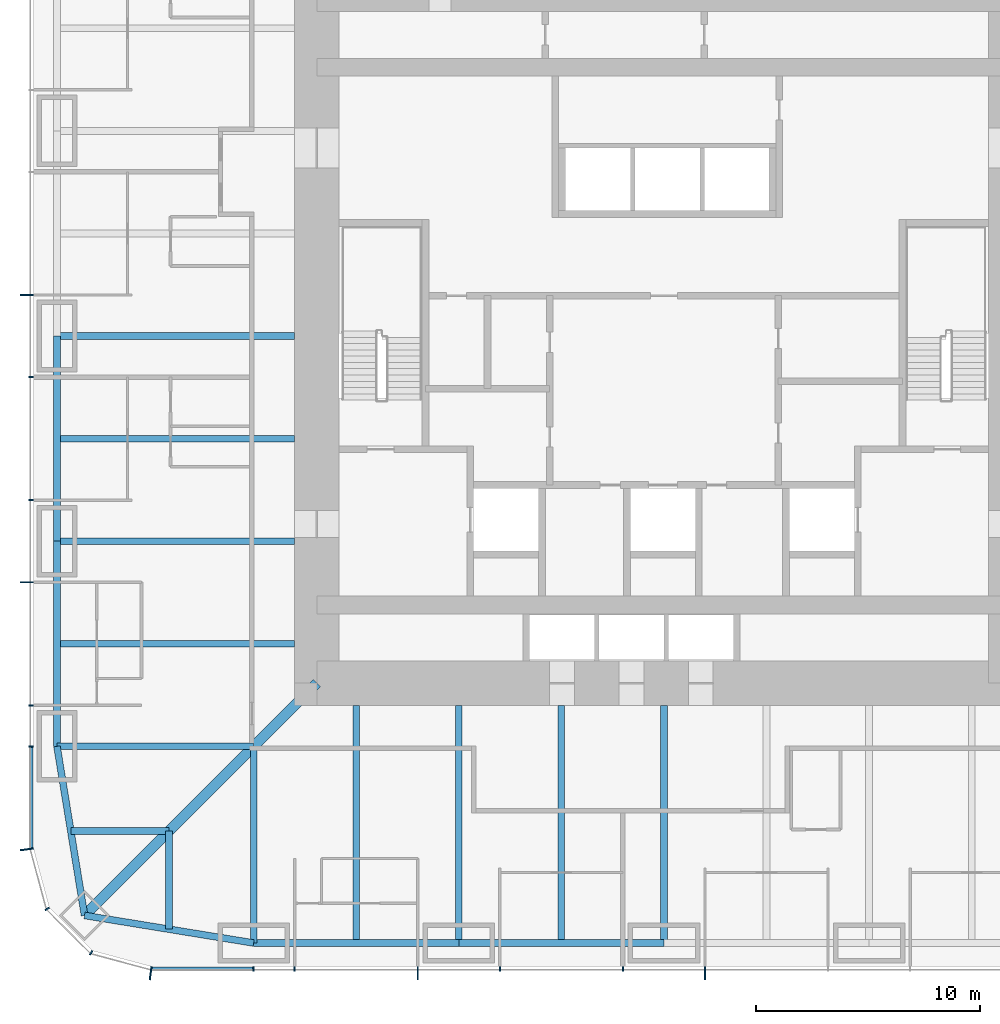
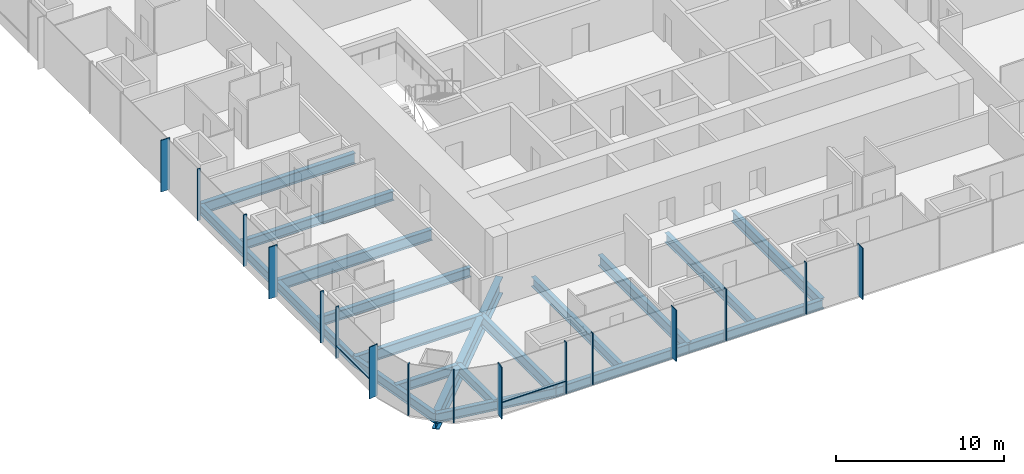
# One storey, part 2 of 12: 19 beams, 18 members, 3 elements without a shape of their own.
"""IFC4 building model written with IfcOpenShell, lengths in metres."""

from ifc_helpers import new_model, si_unit, direction, frame, origin, origin_2d, place, context, subcontext, project, spatial, rectangle, i_section, extrude, material, material_profile, profile_set, type_object, element, aggregate, save


model = new_model("IFC4")

# Units and contexts
model_context = context("Model", 3, precision=1e-05, world=origin(), true_north=direction((0.0, 1.0)))
body_context = subcontext(model_context, "Body", "Model", "MODEL_VIEW")
ifc_project = project(units=[si_unit("LENGTHUNIT", "METRE"), si_unit("AREAUNIT", "SQUARE_METRE"), si_unit("VOLUMEUNIT", "CUBIC_METRE"), si_unit("PLANEANGLEUNIT", "RADIAN"), si_unit("MASSUNIT", "GRAM", prefix="KILO")], contexts=[model_context])

# Site, building, storey
site_placement = place(None, origin())
site = spatial("IfcSite", under=ifc_project, at=site_placement, CompositionType="ELEMENT")
building_placement = place(site_placement, origin())
building = spatial("IfcBuilding", under=site, at=building_placement, Name="Khuree Lantern Residences", CompositionType="ELEMENT")
storey_placement = place(building_placement, frame((0.0, 0.0, 178.5)))
storey = spatial("IfcBuildingStorey", under=building, at=storey_placement, Name="L45", CompositionType="ELEMENT", Elevation=178.5)

# Beams
ifc_material_1 = material(Name="Steel S355", Category="steel")
ifc_material_profile_1 = material_profile(ifc_material_1, i_section(OverallWidth=0.300048828125, OverallDepth=0.68994140625, WebThickness=0.014404296875, FlangeThickness=0.027099609375, FilletRadius=0.027099609375, at=origin_2d()), Name="HE 700 A")
ifc_profile_set_1 = profile_set([ifc_material_profile_1], Name="Steel S355")
beam_type_1 = type_object("IfcBeamType", Name="B-25A SECONDARY BEAM HE 700 A", PredefinedType="BEAM", material=ifc_profile_set_1)
for number, where, z_axis, x_axis, name in (
    (1, (-4.580078125, -27.10009765625, -0.594970703125), (0.0, 1.0, 0.0), (-1.0, 0.0, 0.0), "Secondary beam S4"),
    (2, (-13.739990234375, -27.10009765625, -0.594970703125), (0.0, 1.0, 0.0), (-1.0, 0.0, 0.0), "Secondary beam S5"),
):
    element("IfcBeam", number, at=place(storey_placement, frame(where, z_axis=z_axis, x_axis=x_axis)), inside=storey, type_object=beam_type_1, Name=name, PredefinedType="BEAM", context=body_context, shape_type="SweptSolid", body=[
        extrude(i_section(OverallWidth=0.300048828125, OverallDepth=0.68994140625, WebThickness=0.014404296875, FlangeThickness=0.027099609375, FilletRadius=0.027099609375, at=origin_2d()), origin(), (0.0, 0.0, 1.0), 10.60009765625),
    ])
for number, where, z_axis, x_axis, name in (
    (3, (-22.094970703125, -26.48486328125, -0.594970703125), (0.0, 1.0, 0.0), (-1.0, 0.0, 0.0), "Secondary beam S6"),
    (4, (-26.48486328125, -22.094970703125, -0.594970703125), (1.0, 0.0, 0.0), (0.0, 1.0, 0.0), "Secondary beam W1"),
):
    element("IfcBeam", number, at=place(storey_placement, frame(where, z_axis=z_axis, x_axis=x_axis)), inside=storey, type_object=beam_type_1, Name=name, PredefinedType="BEAM", context=body_context, shape_type="SweptSolid", body=[
        extrude(i_section(OverallWidth=0.300048828125, OverallDepth=0.68994140625, WebThickness=0.014404296875, FlangeThickness=0.027099609375, FilletRadius=0.027099609375, at=origin_2d()), origin(), (0.0, 0.0, 1.0), 4.389892578125),
    ])
for number, where, z_axis, x_axis, name in (
    (5, (-27.10009765625, -13.739990234375, -0.594970703125), (1.0, 0.0, 0.0), (0.0, 1.0, 0.0), "Secondary beam W2"),
    (6, (-27.10009765625, -4.580078125, -0.594970703125), (1.0, 0.0, 0.0), (0.0, 1.0, 0.0), "Secondary beam W3"),
):
    element("IfcBeam", number, at=place(storey_placement, frame(where, z_axis=z_axis, x_axis=x_axis)), inside=storey, type_object=beam_type_1, Name=name, PredefinedType="BEAM", context=body_context, shape_type="SweptSolid", body=[
        extrude(i_section(OverallWidth=0.300048828125, OverallDepth=0.68994140625, WebThickness=0.014404296875, FlangeThickness=0.027099609375, FilletRadius=0.027099609375, at=origin_2d()), origin(), (0.0, 0.0, 1.0), 10.60009765625),
    ])
ifc_material_profile_2 = material_profile(ifc_material_1, i_section(OverallWidth=0.300048828125, OverallDepth=0.68994140625, WebThickness=0.014404296875, FlangeThickness=0.027099609375, FilletRadius=0.027099609375, at=origin_2d()), Name="HE 700 A")
ifc_profile_set_2 = profile_set([ifc_material_profile_2], Name="Steel S355")
beam_type_2 = type_object("IfcBeamType", Name="E-25 SPANDREL BEAM HE 700 A", PredefinedType="SPANDREL", material=ifc_profile_set_2)
beam_1_placement = place(storey_placement, frame((0.0, -27.10009765625, -0.594970703125), z_axis=(-1.0, 0.0, 0.0), x_axis=(0.0, -1.0, 0.0)))
element("IfcBeam", 7, at=beam_1_placement, inside=storey, type_object=beam_type_2, Name="Spandrel beam S4", PredefinedType="SPANDREL", context=body_context, shape_type="SweptSolid", body=[
    extrude(i_section(OverallWidth=0.300048828125, OverallDepth=0.68994140625, WebThickness=0.014404296875, FlangeThickness=0.027099609375, FilletRadius=0.027099609375, at=origin_2d()), origin(), (0.0, 0.0, 1.0), 9.159912109375),
])
beam_2_placement = place(storey_placement, frame((-9.159912109375, -27.10009765625, -0.594970703125), z_axis=(-1.0, 0.0, 0.0), x_axis=(0.0, -1.0, 0.0)))
element("IfcBeam", 8, at=beam_2_placement, inside=storey, type_object=beam_type_2, Name="Spandrel beam S5", PredefinedType="SPANDREL", context=body_context, shape_type="SweptSolid", body=[
    extrude(i_section(OverallWidth=0.300048828125, OverallDepth=0.68994140625, WebThickness=0.014404296875, FlangeThickness=0.027099609375, FilletRadius=0.027099609375, at=origin_2d()), origin(), (0.0, 0.0, 1.0), 9.16015625),
])
for number, where, z_axis, x_axis, name in (
    (9, (-18.320068359375, -27.10009765625, -0.594970703125), (-0.986982656839, 0.160826723833, 0.0), (-0.160826723833, -0.986982656839, 0.0), "Spandrel beam S6"),
    (10, (-25.869873046875, -25.869873046875, -0.594970703125), (-0.160826723833, 0.986982656839, 0.0), (-0.986982656839, -0.160826723833, 0.0), "Spandrel beam W1"),
):
    element("IfcBeam", number, at=place(storey_placement, frame(where, z_axis=z_axis, x_axis=x_axis)), inside=storey, type_object=beam_type_2, Name=name, PredefinedType="SPANDREL", context=body_context, shape_type="SweptSolid", body=[
        extrude(i_section(OverallWidth=0.300048828125, OverallDepth=0.68994140625, WebThickness=0.014404296875, FlangeThickness=0.027099609375, FilletRadius=0.027099609375, at=origin_2d()), origin(), (0.0, 0.0, 1.0), 7.6494140625),
    ])
beam_3_placement = place(storey_placement, frame((-27.10009765625, -18.320068359375, -0.594970703125), z_axis=(0.0, 1.0, 0.0), x_axis=(-1.0, 0.0, 0.0)))
element("IfcBeam", 11, at=beam_3_placement, inside=storey, type_object=beam_type_2, Name="Spandrel beam W2", PredefinedType="SPANDREL", context=body_context, shape_type="SweptSolid", body=[
    extrude(i_section(OverallWidth=0.300048828125, OverallDepth=0.68994140625, WebThickness=0.014404296875, FlangeThickness=0.027099609375, FilletRadius=0.027099609375, at=origin_2d()), origin(), (0.0, 0.0, 1.0), 9.16015625),
])
beam_4_placement = place(storey_placement, frame((-27.10009765625, -9.159912109375, -0.594970703125), z_axis=(0.0, 1.0, 0.0), x_axis=(-1.0, 0.0, 0.0)))
element("IfcBeam", 12, at=beam_4_placement, inside=storey, type_object=beam_type_2, Name="Spandrel beam W3", PredefinedType="SPANDREL", context=body_context, shape_type="SweptSolid", body=[
    extrude(i_section(OverallWidth=0.300048828125, OverallDepth=0.68994140625, WebThickness=0.014404296875, FlangeThickness=0.027099609375, FilletRadius=0.027099609375, at=origin_2d()), origin(), (0.0, 0.0, 1.0), 9.159912109375),
])

# Curtain wall, members
ifc_material_2 = material(Name="Bronze anodised aluminium", Category="aluminium")
curtain_wall_type_1 = type_object("IfcCurtainWallType", Name="CW-T1 TOWER FACE CURTAIN WALL", PredefinedType="USERDEFINED", material=ifc_material_2)
curtain_wall_1_placement = place(storey_placement, origin())
curtain_wall_1 = element("IfcCurtainWall", 13, at=curtain_wall_1_placement, inside=storey, type_object=curtain_wall_type_1, Name="L45 WEST FACE CURTAIN WALL", ObjectType="Stick-built curtain wall", PredefinedType="USERDEFINED")
ifc_material_profile_3 = material_profile(ifc_material_2, rectangle(XDim=0.06494140625, YDim=0.60009765625, at=origin_2d()), Name="F1 65X600")
ifc_profile_set_3 = profile_set([ifc_material_profile_3], Name="Bronze anodised aluminium")
member_type_1 = type_object("IfcMemberType", Name="F1 BRONZE FIN MULLION TOWER 65X600", PredefinedType="MULLION", material=ifc_profile_set_3)
member_1_placement = place(storey_placement, frame((-28.449951171875, 1.83203125, 0.0), z_axis=(0.0, 0.0, 1.0), x_axis=(0.0, -1.0, 0.0)))
member_1 = element("IfcMember", 14, at=member_1_placement, type_object=member_type_1, Name="L45 WEST FACE FIN MULLION 37", PredefinedType="MULLION", context=body_context, shape_type="SweptSolid", body=[
    extrude(rectangle(XDim=0.06494140625, YDim=0.60009765625, at=origin_2d()), origin(), (0.0, 0.0, 1.0), 3.75),
])
member_2_placement = place(storey_placement, frame((-28.449951171875, -10.991943359375, 0.0), z_axis=(0.0, 0.0, 1.0), x_axis=(0.0, -1.0, 0.0)))
member_2 = element("IfcMember", 15, at=member_2_placement, type_object=member_type_1, Name="L45 WEST FACE FIN MULLION 40", PredefinedType="MULLION", context=body_context, shape_type="SweptSolid", body=[
    extrude(rectangle(XDim=0.06494140625, YDim=0.60009765625, at=origin_2d()), origin(), (0.0, 0.0, 1.0), 3.75),
])

# Curtain wall, member
curtain_wall_type_2 = type_object("IfcCurtainWallType", Name="CW-T2 TOWER CORNER CURTAIN WALL", PredefinedType="USERDEFINED", material=ifc_material_2)
curtain_wall_2_placement = place(storey_placement, origin())
curtain_wall_2 = element("IfcCurtainWall", 16, at=curtain_wall_2_placement, inside=storey, type_object=curtain_wall_type_2, Name="L45 SOUTH-WEST CORNER CURTAIN WALL", ObjectType="Faceted corner curtain wall", PredefinedType="USERDEFINED")
member_3_placement = place(storey_placement, frame((-28.4501953125, -22.919677734375, 0.0), z_axis=(0.0, 0.0, 1.0), x_axis=(0.130526223125, -0.991444857305, 0.0)))
member_3 = element("IfcMember", 17, at=member_3_placement, type_object=member_type_1, Name="L45 SOUTH-WEST CORNER FIN MULLION 43", PredefinedType="MULLION", context=body_context, shape_type="SweptSolid", body=[
    extrude(rectangle(XDim=0.06494140625, YDim=0.60009765625, at=origin_2d()), origin(), (0.0, 0.0, 1.0), 3.75),
])

# Curtain wall, members
curtain_wall_3_placement = place(storey_placement, origin())
curtain_wall_3 = element("IfcCurtainWall", 18, at=curtain_wall_3_placement, inside=storey, type_object=curtain_wall_type_1, Name="L45 SOUTH FACE CURTAIN WALL", ObjectType="Stick-built curtain wall", PredefinedType="USERDEFINED")
member_4_placement = place(storey_placement, frame((-22.919677734375, -28.4501953125, 0.0), z_axis=(0.0, 0.0, 1.0), x_axis=(0.991444857305, -0.130526223125, 0.0)))
member_4 = element("IfcMember", 19, at=member_4_placement, type_object=member_type_1, Name="L45 SOUTH FACE FIN MULLION 46", PredefinedType="MULLION", context=body_context, shape_type="SweptSolid", body=[
    extrude(rectangle(XDim=0.06494140625, YDim=0.60009765625, at=origin_2d()), origin(), (0.0, 0.0, 1.0), 3.75),
])
member_5_placement = place(storey_placement, frame((-10.991943359375, -28.449951171875, 0.0), z_axis=(0.0, 0.0, 1.0), x_axis=(1.0, 0.0, 0.0)))
member_5 = element("IfcMember", 20, at=member_5_placement, type_object=member_type_1, Name="L45 SOUTH FACE FIN MULLION 49", PredefinedType="MULLION", context=body_context, shape_type="SweptSolid", body=[
    extrude(rectangle(XDim=0.06494140625, YDim=0.60009765625, at=origin_2d()), origin(), (0.0, 0.0, 1.0), 3.75),
])
member_6_placement = place(storey_placement, frame((1.83203125, -28.449951171875, 0.0), z_axis=(0.0, 0.0, 1.0), x_axis=(1.0, 0.0, 0.0)))
member_6 = element("IfcMember", 21, at=member_6_placement, type_object=member_type_1, Name="L45 SOUTH FACE FIN MULLION 52", PredefinedType="MULLION", context=body_context, shape_type="SweptSolid", body=[
    extrude(rectangle(XDim=0.06494140625, YDim=0.60009765625, at=origin_2d()), origin(), (0.0, 0.0, 1.0), 3.75),
])

# Beams
ifc_material_profile_4 = material_profile(ifc_material_1, i_section(OverallWidth=0.300048828125, OverallDepth=0.800048828125, WebThickness=0.017578125, FlangeThickness=0.032958984375, FilletRadius=0.030029296875, at=origin_2d()), Name="HE 800 B")
ifc_profile_set_4 = profile_set([ifc_material_profile_4], Name="Steel S355")
beam_type_3 = type_object("IfcBeamType", Name="G-25A GIRDER HE 800 B", PredefinedType="BEAM", material=ifc_profile_set_4)
for number, where, z_axis, x_axis, name in (
    (22, (0.0, -27.10009765625, -0.64990234375), (0.0, 1.0, 0.0), (-1.0, 0.0, 0.0), "Girder S3"),
    (23, (-9.159912109375, -27.10009765625, -0.64990234375), (0.0, 1.0, 0.0), (-1.0, 0.0, 0.0), "Girder S4"),
):
    element("IfcBeam", number, at=place(storey_placement, frame(where, z_axis=z_axis, x_axis=x_axis)), inside=storey, type_object=beam_type_3, Name=name, PredefinedType="BEAM", context=body_context, shape_type="SweptSolid", body=[
        extrude(i_section(OverallWidth=0.300048828125, OverallDepth=0.800048828125, WebThickness=0.017578125, FlangeThickness=0.032958984375, FilletRadius=0.030029296875, at=origin_2d()), origin(), (0.0, 0.0, 1.0), 10.60009765625),
    ])
for number, where, z_axis, x_axis, name in (
    (24, (-18.320068359375, -27.10009765625, -0.64990234375), (0.0, 1.0, 0.0), (-1.0, 0.0, 0.0), "Girder S5"),
    (25, (-27.10009765625, -18.320068359375, -0.64990234375), (1.0, 0.0, 0.0), (0.0, 1.0, 0.0), "Girder W1"),
):
    element("IfcBeam", number, at=place(storey_placement, frame(where, z_axis=z_axis, x_axis=x_axis)), inside=storey, type_object=beam_type_3, Name=name, PredefinedType="BEAM", context=body_context, shape_type="SweptSolid", body=[
        extrude(i_section(OverallWidth=0.300048828125, OverallDepth=0.800048828125, WebThickness=0.017578125, FlangeThickness=0.032958984375, FilletRadius=0.030029296875, at=origin_2d()), origin(), (0.0, 0.0, 1.0), 8.780029296875),
    ])
for number, where, z_axis, x_axis, name in (
    (26, (-27.10009765625, -9.159912109375, -0.64990234375), (1.0, 0.0, 0.0), (0.0, 1.0, 0.0), "Girder W2"),
    (27, (-27.10009765625, 0.0, -0.64990234375), (1.0, 0.0, 0.0), (0.0, 1.0, 0.0), "Girder W3"),
):
    element("IfcBeam", number, at=place(storey_placement, frame(where, z_axis=z_axis, x_axis=x_axis)), inside=storey, type_object=beam_type_3, Name=name, PredefinedType="BEAM", context=body_context, shape_type="SweptSolid", body=[
        extrude(i_section(OverallWidth=0.300048828125, OverallDepth=0.800048828125, WebThickness=0.017578125, FlangeThickness=0.032958984375, FilletRadius=0.030029296875, at=origin_2d()), origin(), (0.0, 0.0, 1.0), 10.60009765625),
    ])
ifc_material_profile_5 = material_profile(ifc_material_1, i_section(OverallWidth=0.449951171875, OverallDepth=1.199951171875, WebThickness=0.02490234375, FlangeThickness=0.044921875, at=origin_2d()), Name="WELDED I 1200X450X25X45")
ifc_profile_set_5 = profile_set([ifc_material_profile_5], Name="Steel S355")
beam_type_4 = type_object("IfcBeamType", Name="GD-25 CORNER GIRDER WELDED I 1200X450X25X45", PredefinedType="BEAM", material=ifc_profile_set_5)
beam_5_placement = place(storey_placement, frame((-25.869873046875, -25.869873046875, -0.85009765625), z_axis=(0.707106781187, 0.707106781187, 0.0), x_axis=(-0.707106781187, 0.707106781187, 0.0)))
element("IfcBeam", 28, at=beam_5_placement, inside=storey, type_object=beam_type_4, Name="Corner girder SW", PredefinedType="BEAM", context=body_context, shape_type="SweptSolid", body=[
    extrude(i_section(OverallWidth=0.449951171875, OverallDepth=1.199951171875, WebThickness=0.02490234375, FlangeThickness=0.044921875, at=origin_2d()), origin(), (0.0, 0.0, 1.0), 14.665283203125),
])

# Member
ifc_material_profile_6 = material_profile(ifc_material_2, rectangle(XDim=0.06494140625, YDim=0.219970703125, at=origin_2d()), Name="M1 65X220")
ifc_profile_set_6 = profile_set([ifc_material_profile_6], Name="Bronze anodised aluminium")
member_type_2 = type_object("IfcMemberType", Name="M1 BRONZE MULLION TOWER 65X220", PredefinedType="MULLION", material=ifc_profile_set_6)
member_7_placement = place(storey_placement, frame((-28.260009765625, -1.83203125, 0.0), z_axis=(0.0, 0.0, 1.0), x_axis=(0.0, -1.0, 0.0)))
member_7 = element("IfcMember", 29, at=member_7_placement, type_object=member_type_2, Name="L45 WEST FACE MULLION 38", PredefinedType="MULLION", context=body_context, shape_type="SweptSolid", body=[
    extrude(rectangle(XDim=0.06494140625, YDim=0.219970703125, at=origin_2d()), origin(), (0.0, 0.0, 1.0), 3.75),
])

member_8_placement = place(storey_placement, frame((-28.260009765625, -7.327880859375, 0.0), z_axis=(0.0, 0.0, 1.0), x_axis=(0.0, -1.0, 0.0)))
member_8 = element("IfcMember", 30, at=member_8_placement, type_object=member_type_2, Name="L45 WEST FACE MULLION 39", PredefinedType="MULLION", context=body_context, shape_type="SweptSolid", body=[
    extrude(rectangle(XDim=0.06494140625, YDim=0.219970703125, at=origin_2d()), origin(), (0.0, 0.0, 1.0), 3.75),
])

member_9_placement = place(storey_placement, frame((-28.260009765625, -16.488037109375, 0.0), z_axis=(0.0, 0.0, 1.0), x_axis=(0.0, -1.0, 0.0)))
member_9 = element("IfcMember", 31, at=member_9_placement, type_object=member_type_2, Name="L45 WEST FACE MULLION 41", PredefinedType="MULLION", context=body_context, shape_type="SweptSolid", body=[
    extrude(rectangle(XDim=0.06494140625, YDim=0.219970703125, at=origin_2d()), origin(), (0.0, 0.0, 1.0), 3.75),
])

member_10_placement = place(storey_placement, frame((-28.260009765625, -18.320068359375, 0.0), z_axis=(0.0, 0.0, 1.0), x_axis=(0.0, -1.0, 0.0)))
member_10 = element("IfcMember", 32, at=member_10_placement, type_object=member_type_2, Name="L45 WEST FACE MULLION 42", PredefinedType="MULLION", context=body_context, shape_type="SweptSolid", body=[
    extrude(rectangle(XDim=0.06494140625, YDim=0.219970703125, at=origin_2d()), origin(), (0.0, 0.0, 1.0), 3.75),
])

member_11_placement = place(storey_placement, frame((-27.5419921875, -25.580078125, 0.0), z_axis=(0.0, 0.0, 1.0), x_axis=(0.500000026995, -0.866025388199, 0.0)))
member_11 = element("IfcMember", 33, at=member_11_placement, type_object=member_type_2, Name="L45 SOUTH-WEST CORNER MULLION 44", PredefinedType="MULLION", context=body_context, shape_type="SweptSolid", body=[
    extrude(rectangle(XDim=0.06494140625, YDim=0.219970703125, at=origin_2d()), origin(), (0.0, 0.0, 1.0), 3.75),
])

member_12_placement = place(storey_placement, frame((-25.580078125, -27.5419921875, 0.0), z_axis=(0.0, 0.0, 1.0), x_axis=(0.866025388199, -0.500000026995, 0.0)))
member_12 = element("IfcMember", 34, at=member_12_placement, type_object=member_type_2, Name="L45 SOUTH-WEST CORNER MULLION 45", PredefinedType="MULLION", context=body_context, shape_type="SweptSolid", body=[
    extrude(rectangle(XDim=0.06494140625, YDim=0.219970703125, at=origin_2d()), origin(), (0.0, 0.0, 1.0), 3.75),
])

aggregate(curtain_wall_2, [member_3, member_11, member_12])

member_13_placement = place(storey_placement, frame((-18.320068359375, -28.260009765625, 0.0), z_axis=(0.0, 0.0, 1.0), x_axis=(1.0, 0.0, 0.0)))
member_13 = element("IfcMember", 35, at=member_13_placement, type_object=member_type_2, Name="L45 SOUTH FACE MULLION 47", PredefinedType="MULLION", context=body_context, shape_type="SweptSolid", body=[
    extrude(rectangle(XDim=0.06494140625, YDim=0.219970703125, at=origin_2d()), origin(), (0.0, 0.0, 1.0), 3.75),
])

member_14_placement = place(storey_placement, frame((-16.488037109375, -28.260009765625, 0.0), z_axis=(0.0, 0.0, 1.0), x_axis=(1.0, 0.0, 0.0)))
member_14 = element("IfcMember", 36, at=member_14_placement, type_object=member_type_2, Name="L45 SOUTH FACE MULLION 48", PredefinedType="MULLION", context=body_context, shape_type="SweptSolid", body=[
    extrude(rectangle(XDim=0.06494140625, YDim=0.219970703125, at=origin_2d()), origin(), (0.0, 0.0, 1.0), 3.75),
])

member_15_placement = place(storey_placement, frame((-7.327880859375, -28.260009765625, 0.0), z_axis=(0.0, 0.0, 1.0), x_axis=(1.0, 0.0, 0.0)))
member_15 = element("IfcMember", 37, at=member_15_placement, type_object=member_type_2, Name="L45 SOUTH FACE MULLION 50", PredefinedType="MULLION", context=body_context, shape_type="SweptSolid", body=[
    extrude(rectangle(XDim=0.06494140625, YDim=0.219970703125, at=origin_2d()), origin(), (0.0, 0.0, 1.0), 3.75),
])

member_16_placement = place(storey_placement, frame((-1.83203125, -28.260009765625, 0.0), z_axis=(0.0, 0.0, 1.0), x_axis=(1.0, 0.0, 0.0)))
member_16 = element("IfcMember", 38, at=member_16_placement, type_object=member_type_2, Name="L45 SOUTH FACE MULLION 51", PredefinedType="MULLION", context=body_context, shape_type="SweptSolid", body=[
    extrude(rectangle(XDim=0.06494140625, YDim=0.219970703125, at=origin_2d()), origin(), (0.0, 0.0, 1.0), 3.75),
])

ifc_material_profile_7 = material_profile(ifc_material_2, rectangle(XDim=0.179931640625, YDim=0.06494140625, at=origin_2d()), Name="T1 180X65")
ifc_profile_set_7 = profile_set([ifc_material_profile_7], Name="Bronze anodised aluminium")
member_type_3 = type_object("IfcMemberType", Name="TRANSOM T1 TOWER 180X65", PredefinedType="USERDEFINED", material=ifc_profile_set_7)
member_17_placement = place(storey_placement, frame((-28.27001953125, -18.3525390625, 0.89990234375), z_axis=(0.0, -1.0, 0.0), x_axis=(1.0, 0.0, 0.0)))
member_17 = element("IfcMember", 39, at=member_17_placement, type_object=member_type_3, Name="L45 WEST FACE TRANSOM 42.1", ObjectType="Transom", PredefinedType="USERDEFINED", context=body_context, shape_type="SweptSolid", body=[
    extrude(rectangle(XDim=0.179931640625, YDim=0.06494140625, at=origin_2d()), origin(), (0.0, 0.0, 1.0), 4.498779296875),
])

aggregate(curtain_wall_1, [member_1, member_7, member_8, member_2, member_9, member_10, member_17])

member_18_placement = place(storey_placement, frame((-22.851318359375, -28.27001953125, 0.89990234375), z_axis=(1.0, 0.0, 0.0), x_axis=(0.0, 1.0, 0.0)))
member_18 = element("IfcMember", 40, at=member_18_placement, type_object=member_type_3, Name="L45 SOUTH FACE TRANSOM 46.1", ObjectType="Transom", PredefinedType="USERDEFINED", context=body_context, shape_type="SweptSolid", body=[
    extrude(rectangle(XDim=0.179931640625, YDim=0.06494140625, at=origin_2d()), origin(), (0.0, 0.0, 1.0), 4.498779296875),
])

aggregate(curtain_wall_3, [member_4, member_13, member_14, member_5, member_15, member_16, member_6, member_18])

save(model, "model.ifc")
